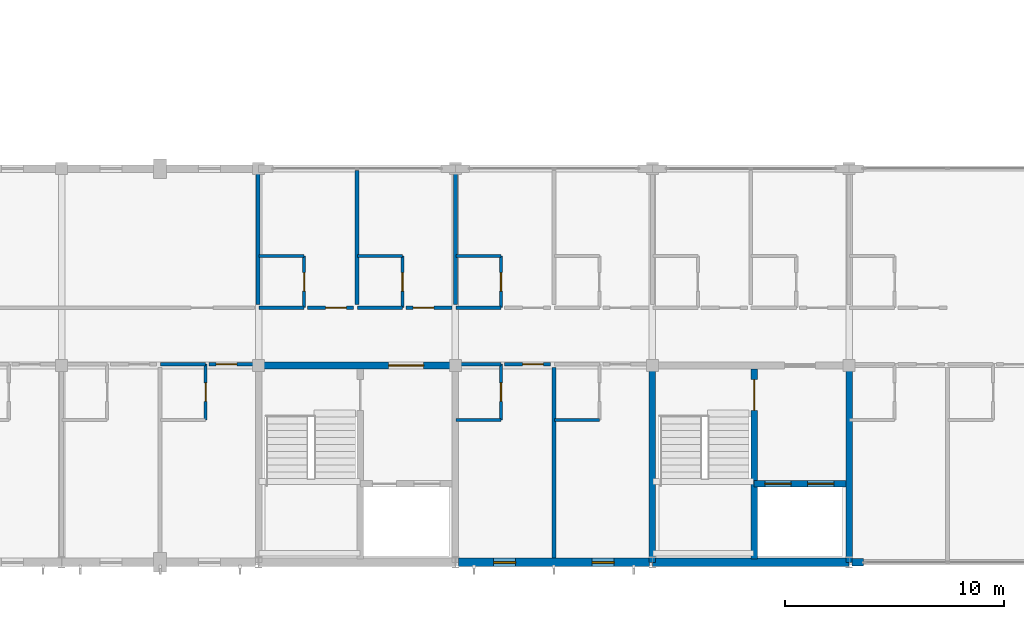
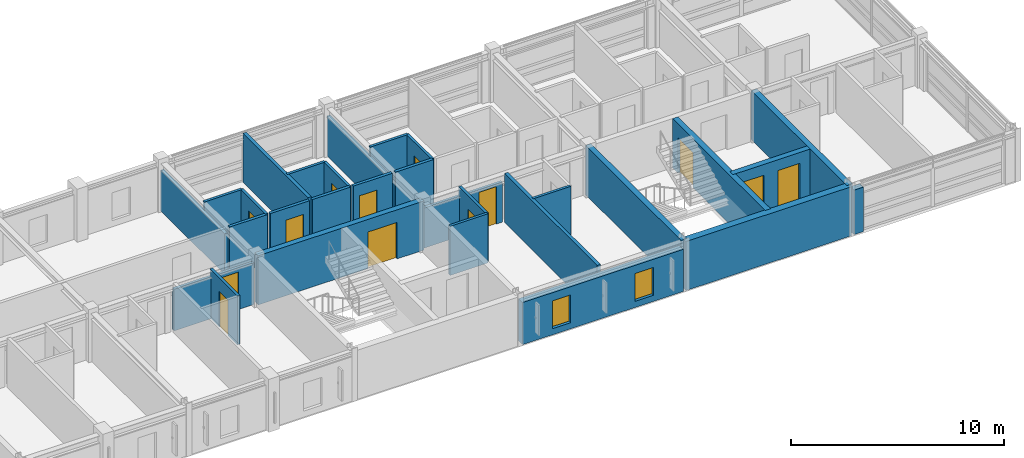
# One storey, part 20 of 37: 31 walls, 13 doors, 2 windows, 15 openings.
"""IFC4 building model written with IfcOpenShell, lengths in metres."""

from ifc_helpers import new_model, si_unit, direction, frame, frame_2d, origin, place, context, subcontext, project, spatial, rectangle, extrude, material, layer, layer_set, type_object, element, fill, save


model = new_model("IFC4")

# Units and contexts
model_context = context("Model", 3, precision=1e-05, world=origin(), true_north=direction((0.0, 1.0)))
body_context = subcontext(model_context, "Body", "Model", "MODEL_VIEW")
ifc_project = project(units=[si_unit("LENGTHUNIT", "METRE"), si_unit("AREAUNIT", "SQUARE_METRE"), si_unit("VOLUMEUNIT", "CUBIC_METRE"), si_unit("PLANEANGLEUNIT", "RADIAN"), si_unit("MASSUNIT", "GRAM", prefix="KILO")], contexts=[model_context])

# Site, building, storey
site_placement = place(None, origin())
site = spatial("IfcSite", under=ifc_project, at=site_placement, CompositionType="ELEMENT")
building_placement = place(site_placement, origin())
building = spatial("IfcBuilding", under=site, at=building_placement, Name="Palais des Congres Ocreval", CompositionType="ELEMENT")
storey_placement = place(building_placement, frame((0.0, 0.0, 11.52001953125)))
storey = spatial("IfcBuildingStorey", under=building, at=storey_placement, Name="L03", CompositionType="ELEMENT", Elevation=11.52001953125)

# Wall, opening, door
ifc_material_1 = material(Name="Moisture-resistant gypsum board")
ifc_layer_1 = layer(ifc_material_1, 0.139892578125)
ifc_layer_set_1 = layer_set([ifc_layer_1], Name="Bathroom Plumbing Chase Wall 140 Gypsum (Moisture-resistant gypsum board)")
wall_type_1 = type_object("IfcWallType", Name="Bathroom Plumbing Chase Wall 140 Gypsum", PredefinedType="PLUMBINGWALL", material=ifc_layer_set_1)
wall_1_placement = place(storey_placement, frame((33.580078125, 6.5, 0.0), z_axis=(0.0, 0.0, 1.0), x_axis=(0.0, 1.0, 0.0)))
wall_1 = element("IfcWall", 1, at=wall_1_placement, inside=storey, type_object=wall_type_1, Name="Bathroom Plumbing Wall PW03 L03", PredefinedType="PLUMBINGWALL", context=body_context, shape_type="SweptSolid", body=[
    extrude(rectangle(XDim=2.56005859375, YDim=0.139892578125, at=frame_2d((1.280029296875, 0.0))), origin(), (0.0, 0.0, 1.0), 2.820068359375),
])
opening_1_placement = place(wall_1_placement, frame((0.85498046875, 0.0, 0.0)))
opening_1 = element("IfcOpeningElement", 2, at=opening_1_placement, cuts=wall_1, Name="Opening D08", PredefinedType="OPENING", context=body_context, shape_type="SweptSolid", body=[
    extrude(rectangle(XDim=0.85009765625, YDim=2.0400390625, at=frame_2d((0.425048828125, 1.02001953125))), frame((0.0, 0.079833984375, 0.0), z_axis=(0.0, -1.0, 0.0), x_axis=(1.0, 0.0, 0.0)), (0.0, 0.0, 1.0), 0.159912109375),
])
ifc_material_2 = material(Name="Solid French oak", Category="wood")
door_type_1 = type_object("IfcDoorType", Name="En-Suite Bathroom Door 850x2040", OperationType="NOTDEFINED", PredefinedType="DOOR", material=ifc_material_2)
door_1_placement = place(opening_1_placement, origin())
door_1 = element("IfcDoor", 3, at=door_1_placement, inside=storey, type_object=door_type_1, Name="En-Suite Bathroom Door D08 L03", OperationType="SINGLE_SWING_LEFT", OverallHeight=2.0400390625, OverallWidth=0.85009765625, PredefinedType="DOOR", context=body_context, shape_type="SweptSolid", body=[
    extrude(rectangle(XDim=0.85009765625, YDim=2.0400390625, at=frame_2d((0.425048828125, 1.02001953125))), frame((0.0, 0.02490234375, 0.0), z_axis=(0.0, -1.0, 0.0), x_axis=(1.0, 0.0, 0.0)), (0.0, 0.0, 1.0), 0.050048828125),
])
fill(opening_1, door_1)

wall_2_placement = place(storey_placement, frame((47.080078125, 6.5, 0.0), z_axis=(0.0, 0.0, 1.0), x_axis=(0.0, 1.0, 0.0)))
wall_2 = element("IfcWall", 4, at=wall_2_placement, inside=storey, type_object=wall_type_1, Name="Bathroom Plumbing Wall PW03 L03", PredefinedType="PLUMBINGWALL", context=body_context, shape_type="SweptSolid", body=[
    extrude(rectangle(XDim=2.56005859375, YDim=0.139892578125, at=frame_2d((1.280029296875, 0.0))), origin(), (0.0, 0.0, 1.0), 2.820068359375),
])
opening_2_placement = place(wall_2_placement, frame((0.85498046875, 0.0, 0.0)))
opening_2 = element("IfcOpeningElement", 5, at=opening_2_placement, cuts=wall_2, Name="Opening D08", PredefinedType="OPENING", context=body_context, shape_type="SweptSolid", body=[
    extrude(rectangle(XDim=0.85009765625, YDim=2.0400390625, at=frame_2d((0.425048828125, 1.02001953125))), frame((0.0, 0.079833984375, 0.0), z_axis=(0.0, -1.0, 0.0), x_axis=(1.0, 0.0, 0.0)), (0.0, 0.0, 1.0), 0.159912109375),
])
door_2_placement = place(opening_2_placement, origin())
door_2 = element("IfcDoor", 6, at=door_2_placement, inside=storey, type_object=door_type_1, Name="En-Suite Bathroom Door D08 L03", OperationType="SINGLE_SWING_RIGHT", OverallHeight=2.0400390625, OverallWidth=0.85009765625, PredefinedType="DOOR", context=body_context, shape_type="SweptSolid", body=[
    extrude(rectangle(XDim=0.85009765625, YDim=2.0400390625, at=frame_2d((0.425048828125, 1.02001953125))), frame((0.0, 0.02490234375, 0.0), z_axis=(0.0, -1.0, 0.0), x_axis=(1.0, 0.0, 0.0)), (0.0, 0.0, 1.0), 0.050048828125),
])
fill(opening_2, door_2)

# Walls
for number, where, z_axis, x_axis, name in (
    (7, (45.02001953125, 6.5, 0.0), (0.0, 0.0, 1.0), (1.0, 0.0, 0.0), "Bathroom Plumbing Wall PW03 L03"),
    (8, (49.52001953125, 6.5, 0.0), (0.0, 0.0, 1.0), (1.0, 0.0, 0.0), "Bathroom Plumbing Wall PW03 L03"),
):
    element("IfcWall", number, at=place(storey_placement, frame(where, z_axis=z_axis, x_axis=x_axis)), inside=storey, type_object=wall_type_1, Name=name, PredefinedType="PLUMBINGWALL", context=body_context, shape_type="SweptSolid", body=[
        extrude(rectangle(XDim=2.06005859375, YDim=0.139892578125, at=frame_2d((1.030029296875, 0.0))), origin(), (0.0, 0.0, 1.0), 2.820068359375),
    ])

# Wall, opening, door
wall_3_placement = place(storey_placement, frame((38.080078125, 11.639892578125, 0.0), z_axis=(0.0, 0.0, 1.0), x_axis=(0.0, 1.0, 0.0)))
wall_3 = element("IfcWall", 9, at=wall_3_placement, inside=storey, type_object=wall_type_1, Name="Bathroom Plumbing Wall PW03 L03", PredefinedType="PLUMBINGWALL", context=body_context, shape_type="SweptSolid", body=[
    extrude(rectangle(XDim=2.360107421875, YDim=0.139892578125, at=frame_2d((1.18017578125, 0.0))), origin(), (0.0, 0.0, 1.0), 2.820068359375),
])
opening_3_placement = place(wall_3_placement, frame((0.7548828125, 0.0, 0.0)))
opening_3 = element("IfcOpeningElement", 10, at=opening_3_placement, cuts=wall_3, Name="Opening D08", PredefinedType="OPENING", context=body_context, shape_type="SweptSolid", body=[
    extrude(rectangle(XDim=0.85009765625, YDim=2.0400390625, at=frame_2d((0.425048828125, 1.02001953125))), frame((0.0, 0.079833984375, 0.0), z_axis=(0.0, -1.0, 0.0), x_axis=(1.0, 0.0, 0.0)), (0.0, 0.0, 1.0), 0.159912109375),
])
door_3_placement = place(opening_3_placement, origin())
door_3 = element("IfcDoor", 11, at=door_3_placement, inside=storey, type_object=door_type_1, Name="En-Suite Bathroom Door D08 L03", OperationType="SINGLE_SWING_RIGHT", OverallHeight=2.0400390625, OverallWidth=0.85009765625, PredefinedType="DOOR", context=body_context, shape_type="SweptSolid", body=[
    extrude(rectangle(XDim=0.85009765625, YDim=2.0400390625, at=frame_2d((0.425048828125, 1.02001953125))), frame((0.0, 0.02490234375, 0.0), z_axis=(0.0, -1.0, 0.0), x_axis=(1.0, 0.0, 0.0)), (0.0, 0.0, 1.0), 0.050048828125),
])
fill(opening_3, door_3)

# Wall
wall_4_placement = place(storey_placement, frame((36.02001953125, 14.0, 0.0), z_axis=(0.0, 0.0, 1.0), x_axis=(1.0, 0.0, 0.0)))
element("IfcWall", 12, at=wall_4_placement, inside=storey, type_object=wall_type_1, Name="Bathroom Plumbing Wall PW03 L03", PredefinedType="PLUMBINGWALL", context=body_context, shape_type="SweptSolid", body=[
    extrude(rectangle(XDim=2.06005859375, YDim=0.139892578125, at=frame_2d((1.030029296875, 0.0))), origin(), (0.0, 0.0, 1.0), 2.820068359375),
])

# Wall, opening, door
wall_5_placement = place(storey_placement, frame((42.580078125, 11.639892578125, 0.0), z_axis=(0.0, 0.0, 1.0), x_axis=(0.0, 1.0, 0.0)))
wall_5 = element("IfcWall", 13, at=wall_5_placement, inside=storey, type_object=wall_type_1, Name="Bathroom Plumbing Wall PW03 L03", PredefinedType="PLUMBINGWALL", context=body_context, shape_type="SweptSolid", body=[
    extrude(rectangle(XDim=2.360107421875, YDim=0.139892578125, at=frame_2d((1.18017578125, 0.0))), origin(), (0.0, 0.0, 1.0), 2.820068359375),
])
opening_4_placement = place(wall_5_placement, frame((0.7548828125, 0.0, 0.0)))
opening_4 = element("IfcOpeningElement", 14, at=opening_4_placement, cuts=wall_5, Name="Opening D08", PredefinedType="OPENING", context=body_context, shape_type="SweptSolid", body=[
    extrude(rectangle(XDim=0.85009765625, YDim=2.0400390625, at=frame_2d((0.425048828125, 1.02001953125))), frame((0.0, 0.079833984375, 0.0), z_axis=(0.0, -1.0, 0.0), x_axis=(1.0, 0.0, 0.0)), (0.0, 0.0, 1.0), 0.159912109375),
])
door_4_placement = place(opening_4_placement, origin())
door_4 = element("IfcDoor", 15, at=door_4_placement, inside=storey, type_object=door_type_1, Name="En-Suite Bathroom Door D08 L03", OperationType="SINGLE_SWING_LEFT", OverallHeight=2.0400390625, OverallWidth=0.85009765625, PredefinedType="DOOR", context=body_context, shape_type="SweptSolid", body=[
    extrude(rectangle(XDim=0.85009765625, YDim=2.0400390625, at=frame_2d((0.425048828125, 1.02001953125))), frame((0.0, 0.02490234375, 0.0), z_axis=(0.0, -1.0, 0.0), x_axis=(1.0, 0.0, 0.0)), (0.0, 0.0, 1.0), 0.050048828125),
])
fill(opening_4, door_4)

# Wall
wall_6_placement = place(storey_placement, frame((40.52001953125, 14.0, 0.0), z_axis=(0.0, 0.0, 1.0), x_axis=(1.0, 0.0, 0.0)))
element("IfcWall", 16, at=wall_6_placement, inside=storey, type_object=wall_type_1, Name="Bathroom Plumbing Wall PW03 L03", PredefinedType="PLUMBINGWALL", context=body_context, shape_type="SweptSolid", body=[
    extrude(rectangle(XDim=2.06005859375, YDim=0.139892578125, at=frame_2d((1.030029296875, 0.0))), origin(), (0.0, 0.0, 1.0), 2.820068359375),
])

# Wall, opening, door
wall_7_placement = place(storey_placement, frame((47.080078125, 11.639892578125, 0.0), z_axis=(0.0, 0.0, 1.0), x_axis=(0.0, 1.0, 0.0)))
wall_7 = element("IfcWall", 17, at=wall_7_placement, inside=storey, type_object=wall_type_1, Name="Bathroom Plumbing Wall PW03 L03", PredefinedType="PLUMBINGWALL", context=body_context, shape_type="SweptSolid", body=[
    extrude(rectangle(XDim=2.360107421875, YDim=0.139892578125, at=frame_2d((1.18017578125, 0.0))), origin(), (0.0, 0.0, 1.0), 2.820068359375),
])
opening_5_placement = place(wall_7_placement, frame((0.7548828125, 0.0, 0.0)))
opening_5 = element("IfcOpeningElement", 18, at=opening_5_placement, cuts=wall_7, Name="Opening D08", PredefinedType="OPENING", context=body_context, shape_type="SweptSolid", body=[
    extrude(rectangle(XDim=0.85009765625, YDim=2.0400390625, at=frame_2d((0.425048828125, 1.02001953125))), frame((0.0, 0.079833984375, 0.0), z_axis=(0.0, -1.0, 0.0), x_axis=(1.0, 0.0, 0.0)), (0.0, 0.0, 1.0), 0.159912109375),
])
door_5_placement = place(opening_5_placement, origin())
door_5 = element("IfcDoor", 19, at=door_5_placement, inside=storey, type_object=door_type_1, Name="En-Suite Bathroom Door D08 L03", OperationType="SINGLE_SWING_RIGHT", OverallHeight=2.0400390625, OverallWidth=0.85009765625, PredefinedType="DOOR", context=body_context, shape_type="SweptSolid", body=[
    extrude(rectangle(XDim=0.85009765625, YDim=2.0400390625, at=frame_2d((0.425048828125, 1.02001953125))), frame((0.0, 0.02490234375, 0.0), z_axis=(0.0, -1.0, 0.0), x_axis=(1.0, 0.0, 0.0)), (0.0, 0.0, 1.0), 0.050048828125),
])
fill(opening_5, door_5)

# Wall
wall_8_placement = place(storey_placement, frame((45.02001953125, 14.0, 0.0), z_axis=(0.0, 0.0, 1.0), x_axis=(1.0, 0.0, 0.0)))
element("IfcWall", 20, at=wall_8_placement, inside=storey, type_object=wall_type_1, Name="Bathroom Plumbing Wall PW03 L03", PredefinedType="PLUMBINGWALL", context=body_context, shape_type="SweptSolid", body=[
    extrude(rectangle(XDim=2.06005859375, YDim=0.139892578125, at=frame_2d((1.030029296875, 0.0))), origin(), (0.0, 0.0, 1.0), 2.820068359375),
])

# Wall, opening, door
ifc_material_3 = material(Name="Concrete C40/50", Category="concrete")
ifc_layer_2 = layer(ifc_material_3, 0.300048828125)
ifc_layer_set_2 = layer_set([ifc_layer_2], Name="Core Shear Wall 300 Concrete C40/50")
wall_type_2 = type_object("IfcWallType", Name="Core Shear Wall 300 Concrete C40/50", PredefinedType="SHEAR", material=ifc_layer_set_2)
wall_9_placement = place(storey_placement, frame((36.0, 9.0, 0.0), z_axis=(0.0, 0.0, 1.0), x_axis=(1.0, 0.0, 0.0)))
wall_9 = element("IfcWall", 21, at=wall_9_placement, inside=storey, type_object=wall_type_2, Name="Core Shear Wall SC02 L03 N", PredefinedType="SHEAR", context=body_context, shape_type="SweptSolid", body=[
    extrude(rectangle(XDim=9.0, YDim=0.300048828125, at=frame_2d((4.5, 0.0))), origin(), (0.0, 0.0, 1.0), 2.820068359375),
])
opening_6_placement = place(wall_9_placement, frame((5.949951171875, 0.0, 0.0)))
opening_6 = element("IfcOpeningElement", 22, at=opening_6_placement, cuts=wall_9, Name="Opening D02", PredefinedType="OPENING", context=body_context, shape_type="SweptSolid", body=[
    extrude(rectangle(XDim=1.60009765625, YDim=2.10009765625, at=frame_2d((0.800048828125, 1.050048828125))), frame((0.0, 0.159912109375, 0.0), z_axis=(0.0, -1.0, 0.0), x_axis=(1.0, 0.0, 0.0)), (0.0, 0.0, 1.0), 0.320068359375),
])
ifc_material_4 = material(Name="Painted fire-rated steel", Category="steel")
door_type_2 = type_object("IfcDoorType", Name="Firefighting Lobby Rated Door 1600x2100", OperationType="NOTDEFINED", PredefinedType="DOOR", material=ifc_material_4)
door_6_placement = place(opening_6_placement, origin())
door_6 = element("IfcDoor", 23, at=door_6_placement, inside=storey, type_object=door_type_2, Name="Firefighting Lobby Entrance Door SC02 L03", OperationType="DOUBLE_DOOR_SINGLE_SWING", OverallHeight=2.10009765625, OverallWidth=1.60009765625, PredefinedType="DOOR", context=body_context, shape_type="SweptSolid", body=[
    extrude(rectangle(XDim=1.60009765625, YDim=2.10009765625, at=frame_2d((0.800048828125, 1.050048828125))), frame((0.0, 0.02490234375, 0.0), z_axis=(0.0, -1.0, 0.0), x_axis=(1.0, 0.0, 0.0)), (0.0, 0.0, 1.0), 0.050048828125),
])
fill(opening_6, door_6)

# Walls
for number, where, z_axis, x_axis, name in (
    (24, (63.0, 0.0, 0.0), (0.0, 0.0, 1.0), (0.0, 1.0, 0.0), "Core Shear Wall SC04 L03 E"),
    (25, (54.0, 0.0, 0.0), (0.0, 0.0, 1.0), (0.0, 1.0, 0.0), "Core Shear Wall SC04 L03 W"),
):
    element("IfcWall", number, at=place(storey_placement, frame(where, z_axis=z_axis, x_axis=x_axis)), inside=storey, type_object=wall_type_2, Name=name, PredefinedType="SHEAR", context=body_context, shape_type="SweptSolid", body=[
        extrude(rectangle(XDim=9.0, YDim=0.300048828125, at=frame_2d((4.5, 0.0))), origin(), (0.0, 0.0, 1.0), 2.820068359375),
    ])

# Wall, opening, door
wall_10_placement = place(storey_placement, frame((58.64990234375, 0.14990234375, 0.0), z_axis=(0.0, 0.0, 1.0), x_axis=(0.0, 1.0, 0.0)))
wall_10 = element("IfcWall", 26, at=wall_10_placement, inside=storey, type_object=wall_type_2, Name="Core Spine Shear Wall SC04 L03", PredefinedType="SHEAR", context=body_context, shape_type="SweptSolid", body=[
    extrude(rectangle(XDim=8.7001953125, YDim=0.300048828125, at=frame_2d((4.35009765625, 0.0))), origin(), (0.0, 0.0, 1.0), 2.820068359375),
])
opening_7_placement = place(wall_10_placement, frame((6.800048828125, 0.0, 0.0)))
opening_7 = element("IfcOpeningElement", 27, at=opening_7_placement, cuts=wall_10, Name="Opening D03", PredefinedType="OPENING", context=body_context, shape_type="SweptSolid", body=[
    extrude(rectangle(XDim=1.39990234375, YDim=2.02001953125, at=frame_2d((0.699951171875, 1.010009765625))), frame((0.0, 0.159912109375, 0.0), z_axis=(0.0, -1.0, 0.0), x_axis=(1.0, 0.0, 0.0)), (0.0, 0.0, 1.0), 0.320068359375),
])
door_type_3 = type_object("IfcDoorType", Name="Core Lobby Rated Door 1400x2020", OperationType="NOTDEFINED", PredefinedType="DOOR", material=ifc_material_4)
door_7_placement = place(opening_7_placement, origin())
door_7 = element("IfcDoor", 28, at=door_7_placement, inside=storey, type_object=door_type_3, Name="Protected Exit Stair Door ST04 L03", OperationType="SINGLE_SWING_RIGHT", OverallHeight=2.02001953125, OverallWidth=1.39990234375, PredefinedType="DOOR", context=body_context, shape_type="SweptSolid", body=[
    extrude(rectangle(XDim=1.39990234375, YDim=2.02001953125, at=frame_2d((0.699951171875, 1.010009765625))), frame((0.0, 0.02490234375, 0.0), z_axis=(0.0, -1.0, 0.0), x_axis=(1.0, 0.0, 0.0)), (0.0, 0.0, 1.0), 0.050048828125),
])
fill(opening_7, door_7)

# Wall, openings, doors
wall_11_placement = place(storey_placement, frame((58.64990234375, 3.60009765625, 0.0), z_axis=(0.0, 0.0, 1.0), x_axis=(1.0, 0.0, 0.0)))
wall_11 = element("IfcWall", 29, at=wall_11_placement, inside=storey, type_object=wall_type_2, Name="Lift Shaft Front Wall SC04 L03", PredefinedType="SHEAR", context=body_context, shape_type="SweptSolid", body=[
    extrude(rectangle(XDim=4.2001953125, YDim=0.300048828125, at=frame_2d((2.10009765625, 0.0))), origin(), (0.0, 0.0, 1.0), 2.820068359375),
])
opening_8_placement = place(wall_11_placement, frame((0.5, 0.0, 0.0)))
opening_8 = element("IfcOpeningElement", 30, at=opening_8_placement, cuts=wall_11, Name="Opening LD02", PredefinedType="OPENING", context=body_context, shape_type="SweptSolid", body=[
    extrude(rectangle(XDim=1.199951171875, YDim=2.199951171875, at=frame_2d((0.60009765625, 1.10009765625))), frame((0.0, 0.159912109375, 0.0), z_axis=(0.0, -1.0, 0.0), x_axis=(1.0, 0.0, 0.0)), (0.0, 0.0, 1.0), 0.320068359375),
])
opening_9_placement = place(wall_11_placement, frame((2.449951171875, 0.0, 0.0)))
opening_9 = element("IfcOpeningElement", 31, at=opening_9_placement, cuts=wall_11, Name="Opening LD02", PredefinedType="OPENING", context=body_context, shape_type="SweptSolid", body=[
    extrude(rectangle(XDim=1.199951171875, YDim=2.199951171875, at=frame_2d((0.60009765625, 1.10009765625))), frame((0.0, 0.159912109375, 0.0), z_axis=(0.0, -1.0, 0.0), x_axis=(1.0, 0.0, 0.0)), (0.0, 0.0, 1.0), 0.320068359375),
])
ifc_material_5 = material(Name="Anodized bronze steel", Category="steel")
door_type_4 = type_object("IfcDoorType", Name="Passenger and Service Lift Sliding Door 1200x2200", OperationType="NOTDEFINED", PredefinedType="DOOR", material=ifc_material_5)
door_8_placement = place(opening_8_placement, origin())
door_8 = element("IfcDoor", 32, at=door_8_placement, inside=storey, type_object=door_type_4, Name="Lift Landing Sliding Door PL4 L03", OperationType="DOUBLE_DOOR_SLIDING", OverallHeight=2.199951171875, OverallWidth=1.199951171875, PredefinedType="DOOR", context=body_context, shape_type="SweptSolid", body=[
    extrude(rectangle(XDim=1.199951171875, YDim=2.199951171875, at=frame_2d((0.60009765625, 1.10009765625))), frame((0.0, 0.02490234375, 0.0), z_axis=(0.0, -1.0, 0.0), x_axis=(1.0, 0.0, 0.0)), (0.0, 0.0, 1.0), 0.050048828125),
])
fill(opening_8, door_8)
door_9_placement = place(opening_9_placement, origin())
door_9 = element("IfcDoor", 33, at=door_9_placement, inside=storey, type_object=door_type_4, Name="Lift Landing Sliding Door BL1 L03", OperationType="DOUBLE_DOOR_SLIDING", OverallHeight=2.199951171875, OverallWidth=1.199951171875, PredefinedType="DOOR", context=body_context, shape_type="SweptSolid", body=[
    extrude(rectangle(XDim=1.199951171875, YDim=2.199951171875, at=frame_2d((0.60009765625, 1.10009765625))), frame((0.0, 0.02490234375, 0.0), z_axis=(0.0, -1.0, 0.0), x_axis=(1.0, 0.0, 0.0)), (0.0, 0.0, 1.0), 0.050048828125),
])
fill(opening_9, door_9)

# Walls
ifc_material_6 = material(Name="Gypsum acoustic partition")
ifc_layer_3 = layer(ifc_material_6, 0.159912109375)
ifc_layer_set_3 = layer_set([ifc_layer_3], Name="Corridor Fire Partition 160 Gypsum (Gypsum acoustic partition)")
wall_type_3 = type_object("IfcWallType", Name="Corridor Fire Partition 160 Gypsum", PredefinedType="PARTITIONING", material=ifc_layer_set_3)
wall_12_placement = place(storey_placement, frame((31.52001953125, 9.06005859375, 0.0), z_axis=(0.0, 0.0, 1.0), x_axis=(1.0, 0.0, 0.0)))
element("IfcWall", 34, at=wall_12_placement, inside=storey, type_object=wall_type_3, Name="Corridor Partition IW03 L03", PredefinedType="PARTITIONING", context=body_context, shape_type="SweptSolid", body=[
    extrude(rectangle(XDim=2.06005859375, YDim=0.159912109375, at=frame_2d((1.030029296875, 0.0))), origin(), (0.0, 0.0, 1.0), 2.389892578125),
])
wall_13_placement = place(storey_placement, frame((45.02001953125, 9.06005859375, 0.0), z_axis=(0.0, 0.0, 1.0), x_axis=(1.0, 0.0, 0.0)))
element("IfcWall", 35, at=wall_13_placement, inside=storey, type_object=wall_type_3, Name="Corridor Partition IW03 L03", PredefinedType="PARTITIONING", context=body_context, shape_type="SweptSolid", body=[
    extrude(rectangle(XDim=2.06005859375, YDim=0.159912109375, at=frame_2d((1.030029296875, 0.0))), origin(), (0.0, 0.0, 1.0), 2.2900390625),
])
for number, where, z_axis, x_axis, name in (
    (36, (36.02001953125, 11.639892578125, 0.0), (0.0, 0.0, 1.0), (1.0, 0.0, 0.0), "Corridor Partition IW03 L03"),
    (37, (40.52001953125, 11.639892578125, 0.0), (0.0, 0.0, 1.0), (1.0, 0.0, 0.0), "Corridor Partition IW03 L03"),
    (38, (45.02001953125, 11.639892578125, 0.0), (0.0, 0.0, 1.0), (1.0, 0.0, 0.0), "Corridor Partition IW03 L03"),
):
    element("IfcWall", number, at=place(storey_placement, frame(where, z_axis=z_axis, x_axis=x_axis)), inside=storey, type_object=wall_type_3, Name=name, PredefinedType="PARTITIONING", context=body_context, shape_type="SweptSolid", body=[
        extrude(rectangle(XDim=2.06005859375, YDim=0.159912109375, at=frame_2d((1.030029296875, 0.0))), origin(), (0.0, 0.0, 1.0), 2.820068359375),
    ])

# Wall, opening, door
wall_14_placement = place(storey_placement, frame((33.735107421875, 9.06494140625, 0.0), z_axis=(0.0, 0.0, 1.0), x_axis=(1.0, 0.0, 0.0)))
wall_14 = element("IfcWall", 39, at=wall_14_placement, inside=storey, type_object=wall_type_3, Name="Interior Partition IW03 L03", PredefinedType="PARTITIONING", context=body_context, shape_type="SweptSolid", body=[
    extrude(rectangle(XDim=2.10986328125, YDim=0.159912109375, at=frame_2d((1.054931640625, 0.0))), origin(), (0.0, 0.0, 1.0), 2.389892578125),
])
opening_10_placement = place(wall_14_placement, frame((0.326904296875, 0.0, 0.0)))
opening_10 = element("IfcOpeningElement", 40, at=opening_10_placement, cuts=wall_14, Name="Opening D05", PredefinedType="OPENING", context=body_context, shape_type="SweptSolid", body=[
    extrude(rectangle(XDim=0.949951171875, YDim=2.14990234375, at=frame_2d((0.47509765625, 1.074951171875))), frame((0.0, 0.08984375, 0.0), z_axis=(0.0, -1.0, 0.0), x_axis=(1.0, 0.0, 0.0)), (0.0, 0.0, 1.0), 0.179931640625),
])
door_type_5 = type_object("IfcDoorType", Name="Hotel Guestroom Entrance Door 950x2150", OperationType="NOTDEFINED", PredefinedType="DOOR", material=ifc_material_2)
door_10_placement = place(opening_10_placement, origin())
door_10 = element("IfcDoor", 41, at=door_10_placement, inside=storey, type_object=door_type_5, Name="Interior Door D05 L03", OperationType="SINGLE_SWING_RIGHT", OverallHeight=2.14990234375, OverallWidth=0.949951171875, PredefinedType="DOOR", context=body_context, shape_type="SweptSolid", body=[
    extrude(rectangle(XDim=0.949951171875, YDim=2.14990234375, at=frame_2d((0.47509765625, 1.074951171875))), frame((0.0, 0.02490234375, 0.0), z_axis=(0.0, -1.0, 0.0), x_axis=(1.0, 0.0, 0.0)), (0.0, 0.0, 1.0), 0.050048828125),
])
fill(opening_10, door_10)

wall_15_placement = place(storey_placement, frame((47.235107421875, 9.06494140625, 0.0), z_axis=(0.0, 0.0, 1.0), x_axis=(1.0, 0.0, 0.0)))
wall_15 = element("IfcWall", 42, at=wall_15_placement, inside=storey, type_object=wall_type_3, Name="Interior Partition IW03 L03", PredefinedType="PARTITIONING", context=body_context, shape_type="SweptSolid", body=[
    extrude(rectangle(XDim=2.10986328125, YDim=0.159912109375, at=frame_2d((1.054931640625, 0.0))), origin(), (0.0, 0.0, 1.0), 2.2900390625),
])
opening_11_placement = place(wall_15_placement, frame((0.833251953125, 0.0, 0.0)))
opening_11 = element("IfcOpeningElement", 43, at=opening_11_placement, cuts=wall_15, Name="Opening D05", PredefinedType="OPENING", context=body_context, shape_type="SweptSolid", body=[
    extrude(rectangle(XDim=0.949951171875, YDim=2.14990234375, at=frame_2d((0.47509765625, 1.074951171875))), frame((0.0, 0.08984375, 0.0), z_axis=(0.0, -1.0, 0.0), x_axis=(1.0, 0.0, 0.0)), (0.0, 0.0, 1.0), 0.179931640625),
])
door_11_placement = place(opening_11_placement, origin())
door_11 = element("IfcDoor", 44, at=door_11_placement, inside=storey, type_object=door_type_5, Name="Interior Door D05 L03", OperationType="SINGLE_SWING_LEFT", OverallHeight=2.14990234375, OverallWidth=0.949951171875, PredefinedType="DOOR", context=body_context, shape_type="SweptSolid", body=[
    extrude(rectangle(XDim=0.949951171875, YDim=2.14990234375, at=frame_2d((0.47509765625, 1.074951171875))), frame((0.0, 0.02490234375, 0.0), z_axis=(0.0, -1.0, 0.0), x_axis=(1.0, 0.0, 0.0)), (0.0, 0.0, 1.0), 0.050048828125),
])
fill(opening_11, door_11)

wall_16_placement = place(storey_placement, frame((38.235107421875, 11.635009765625, 0.0), z_axis=(0.0, 0.0, 1.0), x_axis=(1.0, 0.0, 0.0)))
wall_16 = element("IfcWall", 45, at=wall_16_placement, inside=storey, type_object=wall_type_3, Name="Interior Partition IW03 L03", PredefinedType="PARTITIONING", context=body_context, shape_type="SweptSolid", body=[
    extrude(rectangle(XDim=2.10986328125, YDim=0.159912109375, at=frame_2d((1.054931640625, 0.0))), origin(), (0.0, 0.0, 1.0), 2.820068359375),
])
opening_12_placement = place(wall_16_placement, frame((0.833251953125, 0.0, 0.0)))
opening_12 = element("IfcOpeningElement", 46, at=opening_12_placement, cuts=wall_16, Name="Opening D05", PredefinedType="OPENING", context=body_context, shape_type="SweptSolid", body=[
    extrude(rectangle(XDim=0.949951171875, YDim=2.14990234375, at=frame_2d((0.47509765625, 1.074951171875))), frame((0.0, 0.08984375, 0.0), z_axis=(0.0, -1.0, 0.0), x_axis=(1.0, 0.0, 0.0)), (0.0, 0.0, 1.0), 0.179931640625),
])
door_12_placement = place(opening_12_placement, origin())
door_12 = element("IfcDoor", 47, at=door_12_placement, inside=storey, type_object=door_type_5, Name="Interior Door D05 L03", OperationType="SINGLE_SWING_LEFT", OverallHeight=2.14990234375, OverallWidth=0.949951171875, PredefinedType="DOOR", context=body_context, shape_type="SweptSolid", body=[
    extrude(rectangle(XDim=0.949951171875, YDim=2.14990234375, at=frame_2d((0.47509765625, 1.074951171875))), frame((0.0, 0.02490234375, 0.0), z_axis=(0.0, -1.0, 0.0), x_axis=(1.0, 0.0, 0.0)), (0.0, 0.0, 1.0), 0.050048828125),
])
fill(opening_12, door_12)

wall_17_placement = place(storey_placement, frame((42.735107421875, 11.635009765625, 0.0), z_axis=(0.0, 0.0, 1.0), x_axis=(1.0, 0.0, 0.0)))
wall_17 = element("IfcWall", 48, at=wall_17_placement, inside=storey, type_object=wall_type_3, Name="Interior Partition IW03 L03", PredefinedType="PARTITIONING", context=body_context, shape_type="SweptSolid", body=[
    extrude(rectangle(XDim=2.10986328125, YDim=0.159912109375, at=frame_2d((1.054931640625, 0.0))), origin(), (0.0, 0.0, 1.0), 2.820068359375),
])
opening_13_placement = place(wall_17_placement, frame((0.326904296875, 0.0, 0.0)))
opening_13 = element("IfcOpeningElement", 49, at=opening_13_placement, cuts=wall_17, Name="Opening D05", PredefinedType="OPENING", context=body_context, shape_type="SweptSolid", body=[
    extrude(rectangle(XDim=0.949951171875, YDim=2.14990234375, at=frame_2d((0.47509765625, 1.074951171875))), frame((0.0, 0.08984375, 0.0), z_axis=(0.0, -1.0, 0.0), x_axis=(1.0, 0.0, 0.0)), (0.0, 0.0, 1.0), 0.179931640625),
])
door_13_placement = place(opening_13_placement, origin())
door_13 = element("IfcDoor", 50, at=door_13_placement, inside=storey, type_object=door_type_5, Name="Interior Door D05 L03", OperationType="SINGLE_SWING_RIGHT", OverallHeight=2.14990234375, OverallWidth=0.949951171875, PredefinedType="DOOR", context=body_context, shape_type="SweptSolid", body=[
    extrude(rectangle(XDim=0.949951171875, YDim=2.14990234375, at=frame_2d((0.47509765625, 1.074951171875))), frame((0.0, 0.02490234375, 0.0), z_axis=(0.0, -1.0, 0.0), x_axis=(1.0, 0.0, 0.0)), (0.0, 0.0, 1.0), 0.050048828125),
])
fill(opening_13, door_13)

# Walls
ifc_layer_4 = layer(ifc_material_6, 0.179931640625)
ifc_layer_set_4 = layer_set([ifc_layer_4], Name="Hotel Inter-Room Acoustic Partition 180 Gypsum (Gypsum acoustic partition)")
wall_type_4 = type_object("IfcWallType", Name="Hotel Inter-Room Acoustic Partition 180 Gypsum", PredefinedType="PARTITIONING", material=ifc_layer_set_4)
wall_18_placement = place(storey_placement, frame((49.5, 0.195068359375, 0.0), z_axis=(0.0, 0.0, 1.0), x_axis=(0.0, 1.0, 0.0)))
element("IfcWall", 51, at=wall_18_placement, inside=storey, type_object=wall_type_4, Name="Hotel Party Partition IW02 L03", PredefinedType="PARTITIONING", context=body_context, shape_type="SweptSolid", body=[
    extrude(rectangle(XDim=8.7099609375, YDim=0.179931640625, at=frame_2d((4.35498046875, 0.0))), origin(), (0.0, 0.0, 1.0), 2.820068359375),
])
wall_19_placement = place(storey_placement, frame((35.97509765625, 11.794921875, 0.0), z_axis=(0.0, 0.0, 1.0), x_axis=(0.0, 1.0, 0.0)))
element("IfcWall", 52, at=wall_19_placement, inside=storey, type_object=wall_type_4, Name="Hotel Party Partition IW02 L03", PredefinedType="PARTITIONING", context=body_context, shape_type="SweptSolid", body=[
    extrude(rectangle(XDim=6.030029296875, YDim=0.179931640625, at=frame_2d((3.01513671875, 0.0))), origin(), (0.0, 0.0, 1.0), 2.340087890625),
])
wall_20_placement = place(storey_placement, frame((40.5, 11.794921875, 0.0), z_axis=(0.0, 0.0, 1.0), x_axis=(0.0, 1.0, 0.0)))
element("IfcWall", 53, at=wall_20_placement, inside=storey, type_object=wall_type_4, Name="Hotel Party Partition IW02 L03", PredefinedType="PARTITIONING", context=body_context, shape_type="SweptSolid", body=[
    extrude(rectangle(XDim=6.110107421875, YDim=0.179931640625, at=frame_2d((3.05517578125, 0.0))), origin(), (0.0, 0.0, 1.0), 2.820068359375),
])
wall_21_placement = place(storey_placement, frame((45.0, 11.794921875, 0.0), z_axis=(0.0, 0.0, 1.0), x_axis=(0.0, 1.0, 0.0)))
element("IfcWall", 54, at=wall_21_placement, inside=storey, type_object=wall_type_4, Name="Hotel Party Partition IW02 L03", PredefinedType="PARTITIONING", context=body_context, shape_type="SweptSolid", body=[
    extrude(rectangle(XDim=6.030029296875, YDim=0.179931640625, at=frame_2d((3.01513671875, 0.0))), origin(), (0.0, 0.0, 1.0), 2.2900390625),
])
ifc_layer_5 = layer(ifc_material_3, 0.3798828125)
ifc_layer_set_5 = layer_set([ifc_layer_5], Name="Lutetian Limestone Street Wall 380 Concrete C40/50")
wall_type_5 = type_object("IfcWallType", Name="Lutetian Limestone Street Wall 380 Concrete C40/50", PredefinedType="SOLIDWALL", material=ifc_layer_set_5)
wall_22_placement = place(storey_placement, frame((63.0, 0.0, 0.0), z_axis=(0.0, 0.0, 1.0), x_axis=(-1.0, 0.0, 0.0)))
element("IfcWall", 55, at=wall_22_placement, inside=storey, type_object=wall_type_5, Name="Core Perimeter Shear Wall EW03 SC04 L03", PredefinedType="SOLIDWALL", context=body_context, shape_type="SweptSolid", body=[
    extrude(rectangle(XDim=9.0, YDim=0.3798828125, at=frame_2d((4.5, 0.0))), origin(), (0.0, 0.0, 1.0), 2.820068359375),
])

# Wall, openings, windows
wall_23_placement = place(storey_placement, frame((53.8701171875, 0.0, 0.0), z_axis=(0.0, 0.0, 1.0), x_axis=(-1.0, 0.0, 0.0)))
wall_23 = element("IfcWall", 56, at=wall_23_placement, inside=storey, type_object=wall_type_5, Name="Exterior Wall EW03 L03", PredefinedType="SOLIDWALL", context=body_context, shape_type="SweptSolid", body=[
    extrude(rectangle(XDim=8.740234375, YDim=0.3798828125, at=frame_2d((4.3701171875, 0.0))), origin(), (0.0, 0.0, 1.0), 2.419921875),
])
opening_14_placement = place(wall_23_placement, frame((1.6201171875, 0.0, 0.35009765625)))
opening_14 = element("IfcOpeningElement", 57, at=opening_14_placement, cuts=wall_23, Name="Opening WN18", PredefinedType="OPENING", context=body_context, shape_type="SweptSolid", body=[
    extrude(rectangle(XDim=1.0, YDim=1.60009765625, at=frame_2d((0.5, 0.800048828125))), frame((0.0, 0.199951171875, 0.0), z_axis=(0.0, -1.0, 0.0), x_axis=(1.0, 0.0, 0.0)), (0.0, 0.0, 1.0), 0.39990234375),
])
opening_15_placement = place(wall_23_placement, frame((6.1201171875, 0.0, 0.35009765625)))
opening_15 = element("IfcOpeningElement", 58, at=opening_15_placement, cuts=wall_23, Name="Opening WN18", PredefinedType="OPENING", context=body_context, shape_type="SweptSolid", body=[
    extrude(rectangle(XDim=1.0, YDim=1.60009765625, at=frame_2d((0.5, 0.800048828125))), frame((0.0, 0.199951171875, 0.0), z_axis=(0.0, -1.0, 0.0), x_axis=(1.0, 0.0, 0.0)), (0.0, 0.0, 1.0), 0.39990234375),
])
ifc_material_7 = material(Name="Anodized bronze aluminium and low-E glass", Category="glass")
window_type = type_object("IfcWindowType", Name="Stair and Lobby Daylight Window 1000x1600", PartitioningType="SINGLE_PANEL", PredefinedType="WINDOW", material=ifc_material_7)
window_1_placement = place(opening_14_placement, origin())
window_1 = element("IfcWindow", 59, at=window_1_placement, inside=storey, type_object=window_type, Name="Hotel Facade Window WN18", OverallHeight=1.60009765625, OverallWidth=1.0, PartitioningType="SINGLE_PANEL", PredefinedType="WINDOW", context=body_context, shape_type="SweptSolid", body=[
    extrude(rectangle(XDim=1.0, YDim=1.60009765625, at=frame_2d((0.5, 0.800048828125))), frame((0.0, 0.030029296875, 0.0), z_axis=(0.0, -1.0, 0.0), x_axis=(1.0, 0.0, 0.0)), (0.0, 0.0, 1.0), 0.06005859375),
])
fill(opening_14, window_1)
window_2_placement = place(opening_15_placement, origin())
window_2 = element("IfcWindow", 60, at=window_2_placement, inside=storey, type_object=window_type, Name="Hotel Facade Window WN18", OverallHeight=1.60009765625, OverallWidth=1.0, PartitioningType="SINGLE_PANEL", PredefinedType="WINDOW", context=body_context, shape_type="SweptSolid", body=[
    extrude(rectangle(XDim=1.0, YDim=1.60009765625, at=frame_2d((0.5, 0.800048828125))), frame((0.0, 0.030029296875, 0.0), z_axis=(0.0, -1.0, 0.0), x_axis=(1.0, 0.0, 0.0)), (0.0, 0.0, 1.0), 0.06005859375),
])
fill(opening_15, window_2)

# Wall
ifc_layer_6 = layer(ifc_material_3, 0.340087890625)
ifc_layer_set_6 = layer_set([ifc_layer_6], Name="Ochre Mineral-Lime Courtyard Wall 340 Concrete C40/50")
wall_type_6 = type_object("IfcWallType", Name="Ochre Mineral-Lime Courtyard Wall 340 Concrete C40/50", PredefinedType="SOLIDWALL", material=ifc_layer_set_6)
wall_24_placement = place(storey_placement, frame((63.64990234375, 0.0, 0.0), z_axis=(0.0, 0.0, 1.0), x_axis=(-1.0, 0.0, 0.0)))
element("IfcWall", 61, at=wall_24_placement, inside=storey, type_object=wall_type_6, Name="Facade Pier EW04 L03", PredefinedType="SOLIDWALL", context=body_context, shape_type="SweptSolid", body=[
    extrude(rectangle(XDim=0.52001953125, YDim=0.340087890625, at=frame_2d((0.260009765625, 0.0))), origin(), (0.0, 0.0, 1.0), 2.550048828125),
])

save(model, "model.ifc")
